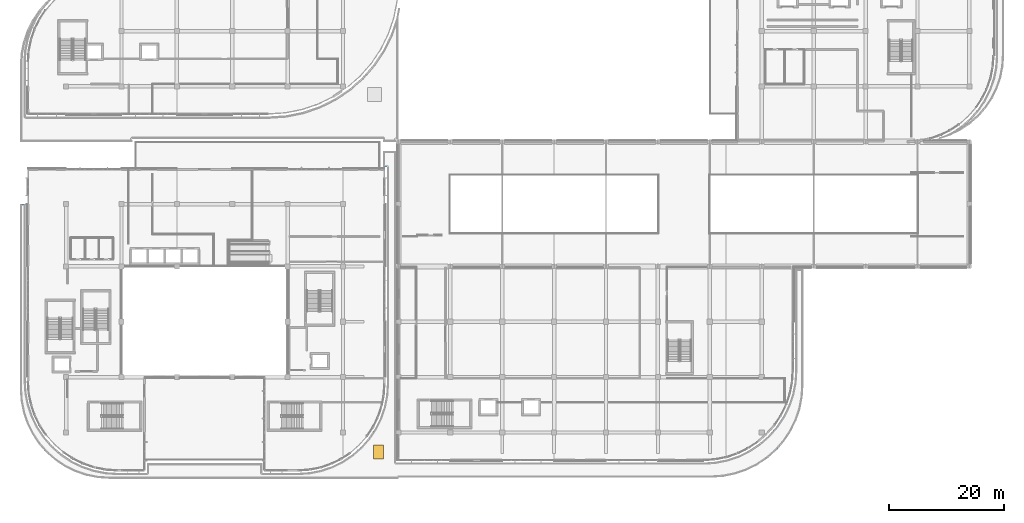
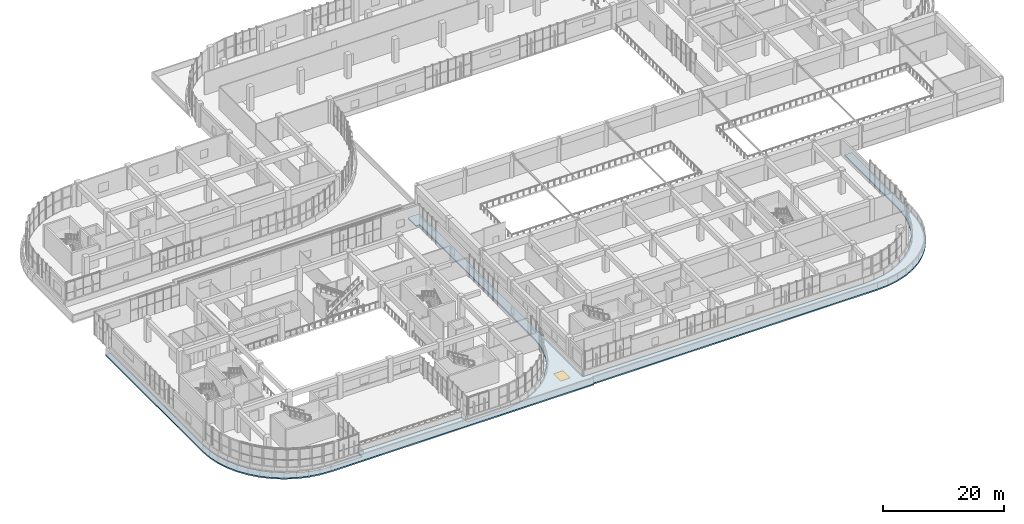
# One storey, part 48 of 96: 1 slab, 1 window, 1 opening.
"""IFC4 building model written with IfcOpenShell, lengths in metres."""

from ifc_helpers import new_model, si_unit, direction, frame, origin, origin_2d, place, context, subcontext, project, spatial, polyline, rectangle, outline, extrude, material, layer, layer_set, type_object, element, fill, save


model = new_model("IFC4")

# Units and contexts
model_context = context("Model", 3, precision=1e-05, world=origin(), true_north=direction((0.0, 1.0)))
body_context = subcontext(model_context, "Body", "Model", "MODEL_VIEW")
ifc_project = project(units=[si_unit("LENGTHUNIT", "METRE"), si_unit("AREAUNIT", "SQUARE_METRE"), si_unit("VOLUMEUNIT", "CUBIC_METRE"), si_unit("PLANEANGLEUNIT", "RADIAN"), si_unit("MASSUNIT", "GRAM", prefix="KILO")], contexts=[model_context])

# Site, building, storey
site_placement = place(None, origin())
site = spatial("IfcSite", under=ifc_project, at=site_placement, CompositionType="ELEMENT")
building_placement = place(site_placement, origin())
building = spatial("IfcBuilding", under=site, at=building_placement, Name="Cendralis Terraced Arcade", CompositionType="ELEMENT")
storey_placement = place(building_placement, frame((0.0, 0.0, 10.199951171875)))
storey = spatial("IfcBuildingStorey", under=building, at=storey_placement, Name="L02", CompositionType="ELEMENT", Elevation=10.199951171875)

# Slab, opening, window
ifc_material_1 = material(Name="Concrete f'c 35 MPa", Category="concrete")
ifc_layer = layer(ifc_material_1, 0.27490234375, Name="SLB-ROOF-275")
ifc_layer_set = layer_set([ifc_layer], Name="Concrete f'c 35 MPa")
slab_type = type_object("IfcSlabType", Name="SLB-ROOF-275", PredefinedType="ROOF", material=ifc_layer_set)
slab_placement = place(storey_placement, frame((0.0, 0.0, -0.27490234375)))
slab = element("IfcSlab", 1, at=slab_placement, inside=storey, type_object=slab_type, Name="Insulated Flat Concrete Roof Slab ROOF-FLAT-L02-3", PredefinedType="ROOF", context=body_context, shape_type="SweptSolid", body=[
    extrude(outline(polyline([(136.18212890625, 11.677001953125), (135.25634765625, 9.800048828125), (134.09375, 8.059814453125), (132.713623046875, 6.486328125), (131.14013671875, 5.106201171875), (129.39990234375, 3.943603515625), (127.52294921875, 3.017822265625), (125.541015625, 2.34521484375), (123.48828125, 1.93701171875), (121.39990234375, 1.800048828125), (67.199951171875, 1.800048828125), (67.199951171875, 1.60009765625), (17.10009765625, 1.60009765625), (15.076904296875, 1.732666015625), (13.08837890625, 2.128173828125), (11.16845703125, 2.77978515625), (9.35009765625, 3.676513671875), (7.664306640625, 4.802978515625), (6.139892578125, 6.139892578125), (4.802978515625, 7.664306640625), (3.676513671875, 9.35009765625), (2.77978515625, 11.16845703125), (2.128173828125, 13.08837890625), (1.732666015625, 15.076904296875), (1.60009765625, 17.10009765625), (1.60009765625, 49.199951171875), (2.580078125, 49.199951171875), (2.580078125, 18.486328125), (2.71533203125, 16.421875), (3.12158203125, 14.37939453125), (3.791015625, 12.4072265625), (4.712158203125, 10.53955078125), (5.869140625, 8.80810546875), (7.2421875, 7.2421875), (8.80810546875, 5.869140625), (10.53955078125, 4.712158203125), (12.4072265625, 3.791015625), (14.37939453125, 3.12158203125), (16.421875, 2.71533203125), (18.486328125, 2.580078125), (23.6201171875, 2.580078125), (23.6201171875, 4.25), (43.580078125, 4.25), (43.580078125, 2.580078125), (49.813720703125, 2.580078125), (51.812744140625, 2.7109375), (53.791259765625, 3.1044921875), (55.701416015625, 3.7529296875), (57.510498046875, 4.64501953125), (59.1875, 5.765869140625), (60.7041015625, 7.095703125), (62.0341796875, 8.6123046875), (63.15478515625, 10.28955078125), (64.047119140625, 12.0986328125), (64.695556640625, 14.0087890625), (65.089111328125, 15.9873046875), (65.219970703125, 17.986328125), (65.219970703125, 55.6201171875), (64.550048828125, 55.6201171875), (64.550048828125, 58.39990234375), (66.780029296875, 58.39990234375), (66.780029296875, 4.3798828125), (120.11376953125, 4.3798828125), (122.177978515625, 4.515380859375), (124.220703125, 4.92138671875), (126.192626953125, 5.591064453125), (128.060302734375, 6.51220703125), (129.7919921875, 7.669189453125), (131.35791015625, 9.042236328125), (132.73095703125, 10.60791015625), (133.887939453125, 12.339599609375), (134.80908203125, 14.207275390625), (135.478515625, 16.179443359375), (135.884765625, 18.221923828125), (136.02001953125, 20.286376953125), (136.02001953125, 37.97998046875), (137.39990234375, 37.97998046875), (137.39990234375, 17.800048828125), (137.26318359375, 15.711669921875), (136.854736328125, 13.658935546875), (136.18212890625, 11.677001953125)])), origin(), (0.0, 0.0, 1.0), 0.27490234375),
])
opening_placement = place(slab_placement, frame((63.763916015625, 6.2060546875, 0.0)))
opening = element("IfcOpeningElement", 2, at=opening_placement, cuts=slab, Name="Opening SK-03", PredefinedType="OPENING", context=body_context, shape_type="SweptSolid", body=[
    extrude(rectangle(XDim=1.800048828125, YDim=2.39990234375, at=origin_2d()), frame((0.0, 0.0, -0.011962890625)), (0.0, 0.0, 1.0), 0.298828125),
])
ifc_material_2 = material(Name="Tempered solar control laminated glass", Category="glass")
window_type = type_object("IfcWindowType", Name="SKY-1800x2400", PartitioningType="SINGLE_PANEL", PredefinedType="SKYLIGHT", material=ifc_material_2)
window_placement = place(opening_placement, frame((0.0, 0.0, 0.224853515625)))
window = element("IfcWindow", 3, at=window_placement, inside=storey, type_object=window_type, Name="Insulated Laminated Glass Roof Skylight SKY-L02-03", OverallHeight=2.39990234375, OverallWidth=1.800048828125, PartitioningType="SINGLE_PANEL", PredefinedType="SKYLIGHT", context=body_context, shape_type="SweptSolid", body=[
    extrude(rectangle(XDim=1.800048828125, YDim=2.39990234375, at=origin_2d()), origin(), (0.0, 0.0, 1.0), 0.050048828125),
])
fill(opening, window)

save(model, "model.ifc")
